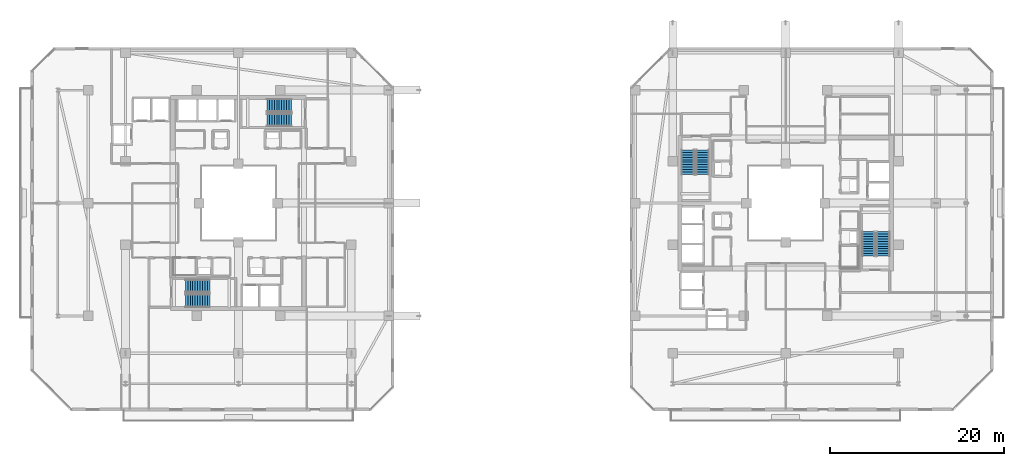
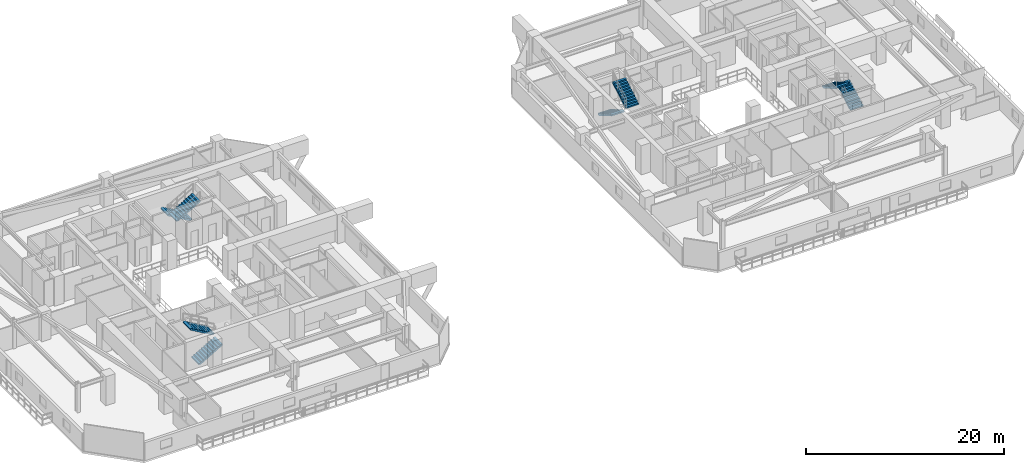
# One storey, part 28 of 35: 8 stair flights, 4 elements without a shape of their own.
"""IFC4 building model written with IfcOpenShell, lengths in metres."""

from ifc_helpers import new_model, si_unit, direction, frame, origin, place, context, subcontext, project, spatial, polyline, outline, extrude, material, type_object, element, aggregate, save


model = new_model("IFC4")

# Units and contexts
model_context = context("Model", 3, precision=1e-05, world=origin(), true_north=direction((0.0, 1.0)))
body_context = subcontext(model_context, "Body", "Model", "MODEL_VIEW")
ifc_project = project(units=[si_unit("LENGTHUNIT", "METRE"), si_unit("AREAUNIT", "SQUARE_METRE"), si_unit("VOLUMEUNIT", "CUBIC_METRE"), si_unit("PLANEANGLEUNIT", "RADIAN"), si_unit("MASSUNIT", "GRAM", prefix="KILO")], contexts=[model_context])

# Site, building, storey
site_placement = place(None, origin())
site = spatial("IfcSite", under=ifc_project, at=site_placement, CompositionType="ELEMENT")
building_placement = place(site_placement, origin())
building = spatial("IfcBuilding", under=site, at=building_placement, Name="Thornwick Lancets Civic Towers", CompositionType="ELEMENT")
storey_placement = place(building_placement, frame((0.0, 0.0, 145.5)))
storey = spatial("IfcBuildingStorey", under=building, at=storey_placement, Name="L38", CompositionType="ELEMENT", Elevation=145.5)

# Stair, stair flights
ifc_material = material(Name="Concrete C40/50", Category="concrete")
stair_type = type_object("IfcStairType", Name="STAIR_DL_3600", PredefinedType="HALF_TURN_STAIR", material=ifc_material)
stair_1_placement = place(storey_placement, origin())
stair_1 = element("IfcStair", 1, at=stair_1_placement, inside=storey, type_object=stair_type, Name="L38 Tower A South Exit Stair ST-A1", PredefinedType="HALF_TURN_STAIR")
stair_flight_type = type_object("IfcStairFlightType", Name="FLIGHT_3600", PredefinedType="STRAIGHT", material=ifc_material)
stair_flight_1_placement = place(storey_placement, frame((19.39990234375, 15.75, 0.0), z_axis=(0.0, 0.0, 1.0), x_axis=(1.0, 0.0, 0.0)))
stair_flight_1 = element("IfcStairFlight", 2, at=stair_flight_1_placement, type_object=stair_flight_type, Name="ST-A1 flight 1", NumberOfRisers=11, NumberOfTreads=10, PredefinedType="STRAIGHT", RiserHeight=0.163636364, TreadLength=0.28, context=body_context, shape_type="SweptSolid", body=[
    extrude(outline(polyline([(0.0, 0.0), (0.0, 0.16357421875), (0.280029296875, 0.16357421875), (0.280029296875, 0.327392578125), (0.56005859375, 0.327392578125), (0.56005859375, 0.490966796875), (0.840087890625, 0.490966796875), (0.840087890625, 0.654541015625), (1.1201171875, 0.654541015625), (1.1201171875, 0.818115234375), (1.39990234375, 0.818115234375), (1.39990234375, 0.98193359375), (1.679931640625, 0.98193359375), (1.679931640625, 1.1455078125), (1.9599609375, 1.1455078125), (1.9599609375, 1.30908203125), (2.239990234375, 1.30908203125), (2.239990234375, 1.47265625), (2.52001953125, 1.47265625), (2.52001953125, 1.636474609375), (2.800048828125, 1.636474609375), (2.800048828125, 1.800048828125), (2.800048828125, 1.462646484375), (0.297119140625, 0.0), (0.0, 0.0)])), frame((0.0, 0.75, 0.0), z_axis=(0.0, -1.0, 0.0), x_axis=(1.0, 0.0, 0.0)), (0.0, 0.0, 1.0), 1.5),
])
stair_flight_2_placement = place(storey_placement, frame((22.199951171875, 17.449951171875, 1.800048828125), z_axis=(0.0, 0.0, 1.0), x_axis=(-1.0, 0.0, 0.0)))
stair_flight_2 = element("IfcStairFlight", 3, at=stair_flight_2_placement, type_object=stair_flight_type, Name="ST-A1 flight 2", NumberOfRisers=11, NumberOfTreads=10, PredefinedType="STRAIGHT", RiserHeight=0.163636364, TreadLength=0.28, context=body_context, shape_type="SweptSolid", body=[
    extrude(outline(polyline([(0.0, 0.0), (0.0, 0.16357421875), (0.280029296875, 0.16357421875), (0.280029296875, 0.327392578125), (0.56005859375, 0.327392578125), (0.56005859375, 0.490966796875), (0.840087890625, 0.490966796875), (0.840087890625, 0.654541015625), (1.1201171875, 0.654541015625), (1.1201171875, 0.818115234375), (1.39990234375, 0.818115234375), (1.39990234375, 0.98193359375), (1.679931640625, 0.98193359375), (1.679931640625, 1.1455078125), (1.9599609375, 1.1455078125), (1.9599609375, 1.30908203125), (2.239990234375, 1.30908203125), (2.239990234375, 1.47265625), (2.52001953125, 1.47265625), (2.52001953125, 1.636474609375), (2.800048828125, 1.636474609375), (2.800048828125, 1.800048828125), (2.800048828125, 1.462646484375), (0.297119140625, 0.0), (0.0, 0.0)])), frame((0.0, 0.75, 0.0), z_axis=(0.0, -1.0, 0.0), x_axis=(1.0, 0.0, 0.0)), (0.0, 0.0, 1.0), 1.5),
])
aggregate(stair_1, [stair_flight_1, stair_flight_2])

stair_2_placement = place(storey_placement, origin())
stair_2 = element("IfcStair", 4, at=stair_2_placement, inside=storey, type_object=stair_type, Name="L38 Tower A North Exit Stair ST-A2", PredefinedType="HALF_TURN_STAIR")
stair_flight_3_placement = place(storey_placement, frame((31.60009765625, 38.25, 0.0), z_axis=(0.0, 0.0, 1.0), x_axis=(-1.0, 0.0, 0.0)))
stair_flight_3 = element("IfcStairFlight", 5, at=stair_flight_3_placement, type_object=stair_flight_type, Name="ST-A2 flight 1", NumberOfRisers=11, NumberOfTreads=10, PredefinedType="STRAIGHT", RiserHeight=0.163636364, TreadLength=0.28, context=body_context, shape_type="SweptSolid", body=[
    extrude(outline(polyline([(0.0, 0.0), (0.0, 0.16357421875), (0.280029296875, 0.16357421875), (0.280029296875, 0.327392578125), (0.56005859375, 0.327392578125), (0.56005859375, 0.490966796875), (0.840087890625, 0.490966796875), (0.840087890625, 0.654541015625), (1.1201171875, 0.654541015625), (1.1201171875, 0.818115234375), (1.39990234375, 0.818115234375), (1.39990234375, 0.98193359375), (1.679931640625, 0.98193359375), (1.679931640625, 1.1455078125), (1.9599609375, 1.1455078125), (1.9599609375, 1.30908203125), (2.239990234375, 1.30908203125), (2.239990234375, 1.47265625), (2.52001953125, 1.47265625), (2.52001953125, 1.636474609375), (2.800048828125, 1.636474609375), (2.800048828125, 1.800048828125), (2.800048828125, 1.462646484375), (0.297119140625, 0.0), (0.0, 0.0)])), frame((0.0, 0.75, 0.0), z_axis=(0.0, -1.0, 0.0), x_axis=(1.0, 0.0, 0.0)), (0.0, 0.0, 1.0), 1.5),
])
stair_flight_4_placement = place(storey_placement, frame((28.800048828125, 36.550048828125, 1.800048828125), z_axis=(0.0, 0.0, 1.0), x_axis=(1.0, 0.0, 0.0)))
stair_flight_4 = element("IfcStairFlight", 6, at=stair_flight_4_placement, type_object=stair_flight_type, Name="ST-A2 flight 2", NumberOfRisers=11, NumberOfTreads=10, PredefinedType="STRAIGHT", RiserHeight=0.163636364, TreadLength=0.28, context=body_context, shape_type="SweptSolid", body=[
    extrude(outline(polyline([(0.0, 0.0), (0.0, 0.16357421875), (0.280029296875, 0.16357421875), (0.280029296875, 0.327392578125), (0.56005859375, 0.327392578125), (0.56005859375, 0.490966796875), (0.840087890625, 0.490966796875), (0.840087890625, 0.654541015625), (1.1201171875, 0.654541015625), (1.1201171875, 0.818115234375), (1.39990234375, 0.818115234375), (1.39990234375, 0.98193359375), (1.679931640625, 0.98193359375), (1.679931640625, 1.1455078125), (1.9599609375, 1.1455078125), (1.9599609375, 1.30908203125), (2.239990234375, 1.30908203125), (2.239990234375, 1.47265625), (2.52001953125, 1.47265625), (2.52001953125, 1.636474609375), (2.800048828125, 1.636474609375), (2.800048828125, 1.800048828125), (2.800048828125, 1.462646484375), (0.297119140625, 0.0), (0.0, 0.0)])), frame((0.0, 0.75, 0.0), z_axis=(0.0, -1.0, 0.0), x_axis=(1.0, 0.0, 0.0)), (0.0, 0.0, 1.0), 1.5),
])
aggregate(stair_2, [stair_flight_3, stair_flight_4])

stair_3_placement = place(storey_placement, origin())
stair_3 = element("IfcStair", 7, at=stair_3_placement, inside=storey, type_object=stair_type, Name="L38 Tower B East Exit Stair ST-B1", PredefinedType="HALF_TURN_STAIR")
stair_flight_5_placement = place(storey_placement, frame((99.75, 20.89990234375, 0.0), z_axis=(0.0, 0.0, 1.0), x_axis=(0.0, 1.0, 0.0)))
stair_flight_5 = element("IfcStairFlight", 8, at=stair_flight_5_placement, type_object=stair_flight_type, Name="ST-B1 flight 1", NumberOfRisers=11, NumberOfTreads=10, PredefinedType="STRAIGHT", RiserHeight=0.163636364, TreadLength=0.28, context=body_context, shape_type="SweptSolid", body=[
    extrude(outline(polyline([(0.0, 0.0), (0.0, 0.16357421875), (0.280029296875, 0.16357421875), (0.280029296875, 0.327392578125), (0.56005859375, 0.327392578125), (0.56005859375, 0.490966796875), (0.840087890625, 0.490966796875), (0.840087890625, 0.654541015625), (1.1201171875, 0.654541015625), (1.1201171875, 0.818115234375), (1.39990234375, 0.818115234375), (1.39990234375, 0.98193359375), (1.679931640625, 0.98193359375), (1.679931640625, 1.1455078125), (1.9599609375, 1.1455078125), (1.9599609375, 1.30908203125), (2.239990234375, 1.30908203125), (2.239990234375, 1.47265625), (2.52001953125, 1.47265625), (2.52001953125, 1.636474609375), (2.800048828125, 1.636474609375), (2.800048828125, 1.800048828125), (2.800048828125, 1.462646484375), (0.297119140625, 0.0), (0.0, 0.0)])), frame((0.0, 0.75, 0.0), z_axis=(0.0, -1.0, 0.0), x_axis=(1.0, 0.0, 0.0)), (0.0, 0.0, 1.0), 1.5),
])
stair_flight_6_placement = place(storey_placement, frame((98.050048828125, 23.699951171875, 1.800048828125), z_axis=(0.0, 0.0, 1.0), x_axis=(0.0, -1.0, 0.0)))
stair_flight_6 = element("IfcStairFlight", 9, at=stair_flight_6_placement, type_object=stair_flight_type, Name="ST-B1 flight 2", NumberOfRisers=11, NumberOfTreads=10, PredefinedType="STRAIGHT", RiserHeight=0.163636364, TreadLength=0.28, context=body_context, shape_type="SweptSolid", body=[
    extrude(outline(polyline([(0.0, 0.0), (0.0, 0.16357421875), (0.280029296875, 0.16357421875), (0.280029296875, 0.327392578125), (0.56005859375, 0.327392578125), (0.56005859375, 0.490966796875), (0.840087890625, 0.490966796875), (0.840087890625, 0.654541015625), (1.1201171875, 0.654541015625), (1.1201171875, 0.818115234375), (1.39990234375, 0.818115234375), (1.39990234375, 0.98193359375), (1.679931640625, 0.98193359375), (1.679931640625, 1.1455078125), (1.9599609375, 1.1455078125), (1.9599609375, 1.30908203125), (2.239990234375, 1.30908203125), (2.239990234375, 1.47265625), (2.52001953125, 1.47265625), (2.52001953125, 1.636474609375), (2.800048828125, 1.636474609375), (2.800048828125, 1.800048828125), (2.800048828125, 1.462646484375), (0.297119140625, 0.0), (0.0, 0.0)])), frame((0.0, 0.75, 0.0), z_axis=(0.0, -1.0, 0.0), x_axis=(1.0, 0.0, 0.0)), (0.0, 0.0, 1.0), 1.5),
])
aggregate(stair_3, [stair_flight_5, stair_flight_6])

stair_4_placement = place(storey_placement, origin())
stair_4 = element("IfcStair", 10, at=stair_4_placement, inside=storey, type_object=stair_type, Name="L38 Tower B West Exit Stair ST-B2", PredefinedType="HALF_TURN_STAIR")
stair_flight_7_placement = place(storey_placement, frame((77.25, 33.10009765625, 0.0), z_axis=(0.0, 0.0, 1.0), x_axis=(0.0, -1.0, 0.0)))
stair_flight_7 = element("IfcStairFlight", 11, at=stair_flight_7_placement, type_object=stair_flight_type, Name="ST-B2 flight 1", NumberOfRisers=11, NumberOfTreads=10, PredefinedType="STRAIGHT", RiserHeight=0.163636364, TreadLength=0.28, context=body_context, shape_type="SweptSolid", body=[
    extrude(outline(polyline([(0.0, 0.0), (0.0, 0.16357421875), (0.280029296875, 0.16357421875), (0.280029296875, 0.327392578125), (0.56005859375, 0.327392578125), (0.56005859375, 0.490966796875), (0.840087890625, 0.490966796875), (0.840087890625, 0.654541015625), (1.1201171875, 0.654541015625), (1.1201171875, 0.818115234375), (1.39990234375, 0.818115234375), (1.39990234375, 0.98193359375), (1.679931640625, 0.98193359375), (1.679931640625, 1.1455078125), (1.9599609375, 1.1455078125), (1.9599609375, 1.30908203125), (2.239990234375, 1.30908203125), (2.239990234375, 1.47265625), (2.52001953125, 1.47265625), (2.52001953125, 1.636474609375), (2.800048828125, 1.636474609375), (2.800048828125, 1.800048828125), (2.800048828125, 1.462646484375), (0.297119140625, 0.0), (0.0, 0.0)])), frame((0.0, 0.75, 0.0), z_axis=(0.0, -1.0, 0.0), x_axis=(1.0, 0.0, 0.0)), (0.0, 0.0, 1.0), 1.5),
])
stair_flight_8_placement = place(storey_placement, frame((78.949951171875, 30.300048828125, 1.800048828125), z_axis=(0.0, 0.0, 1.0), x_axis=(0.0, 1.0, 0.0)))
stair_flight_8 = element("IfcStairFlight", 12, at=stair_flight_8_placement, type_object=stair_flight_type, Name="ST-B2 flight 2", NumberOfRisers=11, NumberOfTreads=10, PredefinedType="STRAIGHT", RiserHeight=0.163636364, TreadLength=0.28, context=body_context, shape_type="SweptSolid", body=[
    extrude(outline(polyline([(0.0, 0.0), (0.0, 0.16357421875), (0.280029296875, 0.16357421875), (0.280029296875, 0.327392578125), (0.56005859375, 0.327392578125), (0.56005859375, 0.490966796875), (0.840087890625, 0.490966796875), (0.840087890625, 0.654541015625), (1.1201171875, 0.654541015625), (1.1201171875, 0.818115234375), (1.39990234375, 0.818115234375), (1.39990234375, 0.98193359375), (1.679931640625, 0.98193359375), (1.679931640625, 1.1455078125), (1.9599609375, 1.1455078125), (1.9599609375, 1.30908203125), (2.239990234375, 1.30908203125), (2.239990234375, 1.47265625), (2.52001953125, 1.47265625), (2.52001953125, 1.636474609375), (2.800048828125, 1.636474609375), (2.800048828125, 1.800048828125), (2.800048828125, 1.462646484375), (0.297119140625, 0.0), (0.0, 0.0)])), frame((0.0, 0.75, 0.0), z_axis=(0.0, -1.0, 0.0), x_axis=(1.0, 0.0, 0.0)), (0.0, 0.0, 1.0), 1.5),
])
aggregate(stair_4, [stair_flight_7, stair_flight_8])

save(model, "model.ifc")
